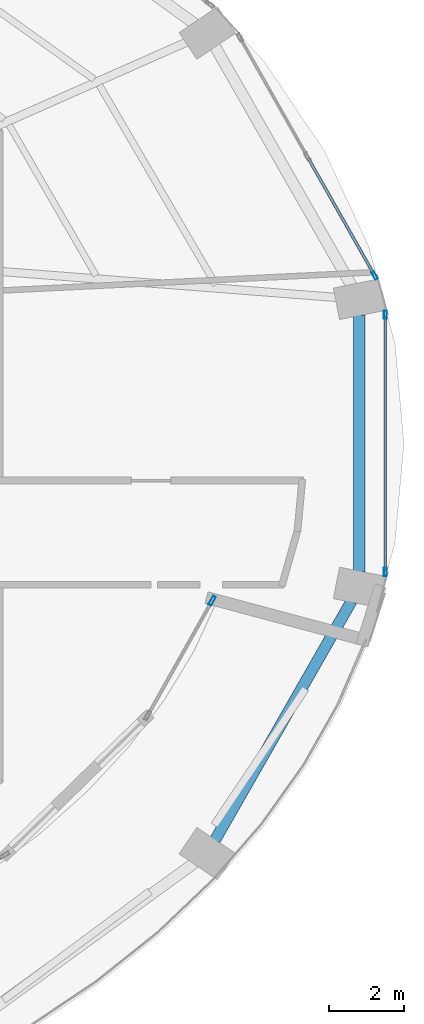
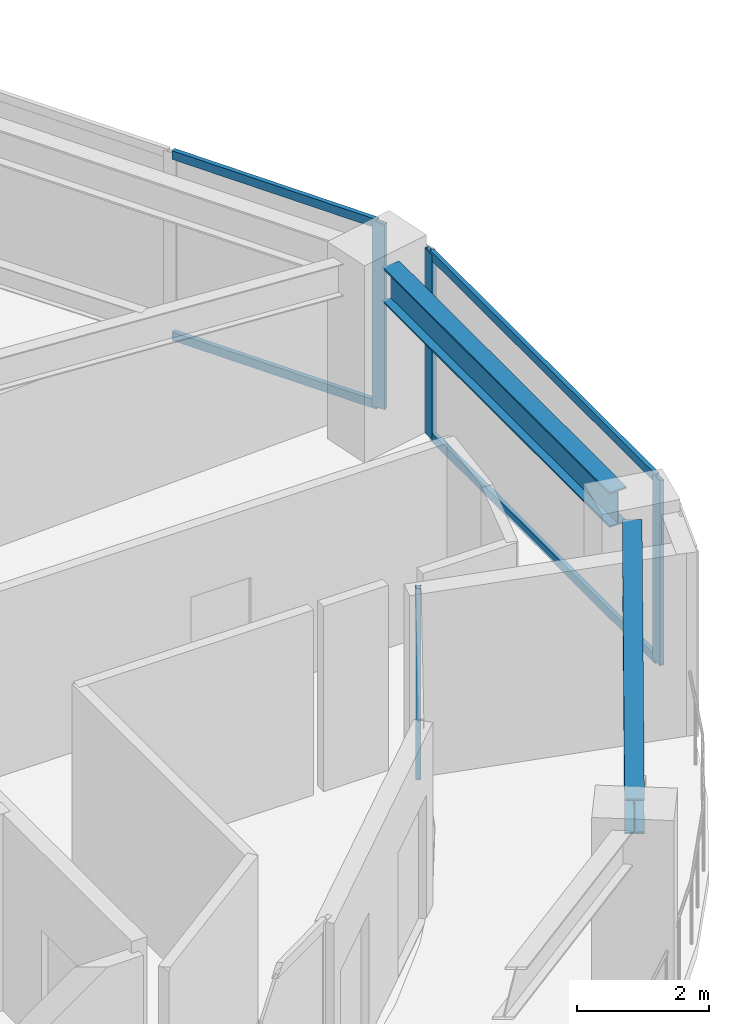
# One storey, part 12 of 24: 8 members, 2 beams, 3 elements without a shape of their own.
"""IFC4 building model written with IfcOpenShell, lengths in metres."""

from ifc_helpers import new_model, si_unit, direction, frame, origin, origin_2d, place, context, subcontext, project, spatial, hollow_rectangle, i_section, extrude, material, layer, layer_set, material_profile, profile_set, type_object, element, aggregate, save


model = new_model("IFC4")

# Units and contexts
model_context = context("Model", 3, precision=1e-05, world=origin(), true_north=direction((0.0, 1.0)))
body_context = subcontext(model_context, "Body", "Model", "MODEL_VIEW")
ifc_project = project(units=[si_unit("LENGTHUNIT", "METRE"), si_unit("AREAUNIT", "SQUARE_METRE"), si_unit("VOLUMEUNIT", "CUBIC_METRE"), si_unit("PLANEANGLEUNIT", "RADIAN"), si_unit("MASSUNIT", "GRAM", prefix="KILO")], contexts=[model_context])

# Site, building, storey
site_placement = place(None, origin())
site = spatial("IfcSite", under=ifc_project, at=site_placement, CompositionType="ELEMENT")
building_placement = place(site_placement, origin())
building = spatial("IfcBuilding", under=site, at=building_placement, Name="Lazwardi Medical Tower", CompositionType="ELEMENT")
storey_placement = place(building_placement, frame((0.0, 0.0, 58.031982421875)))
storey = spatial("IfcBuildingStorey", under=building, at=storey_placement, Name="L14", CompositionType="ELEMENT", Elevation=58.031982421875)

# Beams
ifc_material_1 = material(Name="Steel S355", Category="steel")
ifc_material_profile_1 = material_profile(ifc_material_1, i_section(OverallWidth=0.300048828125, OverallDepth=0.64990234375, WebThickness=0.01611328125, FlangeThickness=0.031005859375, at=origin_2d()), Name="HEB 650")
ifc_profile_set_1 = profile_set([ifc_material_profile_1], Name="Steel S355")
beam_type = type_object("IfcBeamType", Name="BM-RB-Z1", PredefinedType="BEAM", material=ifc_profile_set_1)
beam_1_placement = place(storey_placement, frame((58.927978515625, 19.75048828125, 3.10302734375), z_axis=(0.495829348644, 0.868419977328, 0.0), x_axis=(-0.868419977328, 0.495829348644, 0.0)))
element("IfcBeam", 1, at=beam_1_placement, inside=storey, type_object=beam_type, Name="Ring beam RB-02 B03 L14", PredefinedType="BEAM", context=body_context, shape_type="SweptSolid", body=[
    extrude(i_section(OverallWidth=0.300048828125, OverallDepth=0.64990234375, WebThickness=0.01611328125, FlangeThickness=0.031005859375, at=origin_2d()), origin(), (0.0, 0.0, 1.0), 7.38916015625),
])
beam_2_placement = place(storey_placement, frame((62.800048828125, 26.952392578125, 3.10302734375), z_axis=(0.0, 1.0, 0.0), x_axis=(-1.0, 0.0, 0.0)))
element("IfcBeam", 2, at=beam_2_placement, inside=storey, type_object=beam_type, Name="Ring beam RB-02 B04 L14", PredefinedType="BEAM", context=body_context, shape_type="SweptSolid", body=[
    extrude(i_section(OverallWidth=0.300048828125, OverallDepth=0.64990234375, WebThickness=0.01611328125, FlangeThickness=0.031005859375, at=origin_2d()), origin(), (0.0, 0.0, 1.0), 6.895263671875),
])

# Curtain wall, members
ifc_material_2 = material(Name="Anodised bronze aluminium and solar control glazing", Category="aluminium")
ifc_layer_1 = layer(ifc_material_2, 0.199951171875)
ifc_layer_set_1 = layer_set([ifc_layer_1], Name="Anodised bronze aluminium and solar control glazing")
curtain_wall_type_1 = type_object("IfcCurtainWallType", Name="CW-SYS-02", PredefinedType="NOTDEFINED", material=ifc_layer_set_1)
curtain_wall_1_placement = place(storey_placement, origin())
curtain_wall_1 = element("IfcCurtainWall", 3, at=curtain_wall_1_placement, inside=storey, type_object=curtain_wall_type_1, Name="L14 Unitised bronze curtain wall CW-02", PredefinedType="NOTDEFINED")
ifc_material_3 = material(Name="Anodised bronze aluminium", Category="aluminium")
ifc_material_profile_2 = material_profile(ifc_material_3, hollow_rectangle(XDim=0.074951171875, YDim=0.219970703125, WallThickness=0.00390625, at=origin_2d()), Name="ALU-MULLION 220x75x4")
ifc_profile_set_2 = profile_set([ifc_material_profile_2], Name="Anodised bronze aluminium")
member_type_1 = type_object("IfcMemberType", Name="CW-MUL-01", PredefinedType="MULLION", material=ifc_profile_set_2)
member_1_placement = place(storey_placement, frame((63.49853515625, 26.946044921875, 0.0), z_axis=(0.0, 0.0, 1.0), x_axis=(-1.0, 0.0, 0.0)))
member_1 = element("IfcMember", 4, at=member_1_placement, type_object=member_type_1, Name="CW-02 mullion 1", PredefinedType="MULLION", context=body_context, shape_type="SweptSolid", body=[
    extrude(hollow_rectangle(XDim=0.074951171875, YDim=0.219970703125, WallThickness=0.00390625, at=origin_2d()), origin(), (0.0, 0.0, 1.0), 3.427978515625),
])
member_2_placement = place(storey_placement, frame((63.49853515625, 33.85400390625, 0.0), z_axis=(0.0, 0.0, 1.0), x_axis=(-1.0, 0.0, 0.0)))
member_2 = element("IfcMember", 5, at=member_2_placement, type_object=member_type_1, Name="CW-02 mullion 2", PredefinedType="MULLION", context=body_context, shape_type="SweptSolid", body=[
    extrude(hollow_rectangle(XDim=0.074951171875, YDim=0.219970703125, WallThickness=0.00390625, at=origin_2d()), origin(), (0.0, 0.0, 1.0), 3.427978515625),
])

# Curtain wall, member
curtain_wall_2_placement = place(storey_placement, origin())
curtain_wall_2 = element("IfcCurtainWall", 6, at=curtain_wall_2_placement, inside=storey, type_object=curtain_wall_type_1, Name="L14 Unitised bronze curtain wall CW-02", PredefinedType="NOTDEFINED")
member_3_placement = place(storey_placement, frame((63.214111328125, 34.90234375, 0.0), z_axis=(0.0, 0.0, 1.0), x_axis=(-0.870111838823, -0.492854327303, 0.0)))
member_3 = element("IfcMember", 7, at=member_3_placement, type_object=member_type_1, Name="CW-02 mullion 1", PredefinedType="MULLION", context=body_context, shape_type="SweptSolid", body=[
    extrude(hollow_rectangle(XDim=0.074951171875, YDim=0.219970703125, WallThickness=0.00390625, at=origin_2d()), origin(), (0.0, 0.0, 1.0), 3.427978515625),
])

ifc_layer_2 = layer(ifc_material_2, 0.239990234375)
ifc_layer_set_2 = layer_set([ifc_layer_2], Name="Anodised bronze aluminium and solar control glazing")
curtain_wall_type_2 = type_object("IfcCurtainWallType", Name="CW-SYS-05", PredefinedType="NOTDEFINED", material=ifc_layer_set_2)
curtain_wall_3_placement = place(storey_placement, origin())
curtain_wall_3 = element("IfcCurtainWall", 8, at=curtain_wall_3_placement, inside=storey, type_object=curtain_wall_type_2, Name="L14 Unitised bronze curtain wall CW-05", PredefinedType="NOTDEFINED")
ifc_material_profile_3 = material_profile(ifc_material_3, hollow_rectangle(XDim=0.0849609375, YDim=0.260009765625, WallThickness=0.0048828125, at=origin_2d()), Name="ALU-MULLION 260x85x5")
ifc_profile_set_3 = profile_set([ifc_material_profile_3], Name="Anodised bronze aluminium")
member_type_2 = type_object("IfcMemberType", Name="CW-MUL-02", PredefinedType="MULLION", material=ifc_profile_set_3)
member_4_placement = place(storey_placement, frame((58.852294921875, 26.17529296875, 0.0), z_axis=(0.0, 0.0, 1.0), x_axis=(-0.871837157649, 0.489795845779, 0.0)))
member_4 = element("IfcMember", 9, at=member_4_placement, type_object=member_type_2, Name="CW-05 mullion 2", PredefinedType="MULLION", context=body_context, shape_type="SweptSolid", body=[
    extrude(hollow_rectangle(XDim=0.0849609375, YDim=0.260009765625, WallThickness=0.0048828125, at=origin_2d()), origin(), (0.0, 0.0, 1.0), 3.427978515625),
])
aggregate(curtain_wall_3, [member_4])

# Member
ifc_material_profile_4 = material_profile(ifc_material_3, hollow_rectangle(XDim=0.074951171875, YDim=0.159912109375, WallThickness=0.00390625, at=origin_2d()), Name="ALU-TRANSOM 160x75x4")
ifc_profile_set_4 = profile_set([ifc_material_profile_4], Name="Anodised bronze aluminium")
member_type_3 = type_object("IfcMemberType", Name="CW-TRN-01", PredefinedType="USERDEFINED", material=ifc_profile_set_4)
member_5_placement = place(storey_placement, frame((63.49853515625, 26.9833984375, 0.03759765625), z_axis=(0.0, 1.0, 0.0), x_axis=(-1.0, 0.0, 0.0)))
member_5 = element("IfcMember", 10, at=member_5_placement, type_object=member_type_3, Name="CW-02 transom 1.1", ObjectType="TRANSOM", PredefinedType="USERDEFINED", context=body_context, shape_type="SweptSolid", body=[
    extrude(hollow_rectangle(XDim=0.074951171875, YDim=0.159912109375, WallThickness=0.00390625, at=origin_2d()), origin(), (0.0, 0.0, 1.0), 6.8330078125),
])

member_6_placement = place(storey_placement, frame((63.49853515625, 26.9833984375, 3.390625), z_axis=(0.0, 1.0, 0.0), x_axis=(-1.0, 0.0, 0.0)))
member_6 = element("IfcMember", 11, at=member_6_placement, type_object=member_type_3, Name="CW-02 transom 1.2", ObjectType="TRANSOM", PredefinedType="USERDEFINED", context=body_context, shape_type="SweptSolid", body=[
    extrude(hollow_rectangle(XDim=0.074951171875, YDim=0.159912109375, WallThickness=0.00390625, at=origin_2d()), origin(), (0.0, 0.0, 1.0), 6.8330078125),
])

aggregate(curtain_wall_1, [member_1, member_2, member_5, member_6])

member_7_placement = place(storey_placement, frame((63.195556640625, 34.93505859375, 0.03759765625), z_axis=(-0.492880614687, 0.870096948429, 0.0), x_axis=(-0.870096948429, -0.492880614687, 0.0)))
member_7 = element("IfcMember", 12, at=member_7_placement, type_object=member_type_3, Name="CW-02 transom 1.1", ObjectType="TRANSOM", PredefinedType="USERDEFINED", context=body_context, shape_type="SweptSolid", body=[
    extrude(hollow_rectangle(XDim=0.074951171875, YDim=0.159912109375, WallThickness=0.00390625, at=origin_2d()), origin(), (0.0, 0.0, 1.0), 3.5947265625),
])

member_8_placement = place(storey_placement, frame((63.195556640625, 34.93505859375, 3.390625), z_axis=(-0.492880614687, 0.870096948429, 0.0), x_axis=(-0.870096948429, -0.492880614687, 0.0)))
member_8 = element("IfcMember", 13, at=member_8_placement, type_object=member_type_3, Name="CW-02 transom 1.2", ObjectType="TRANSOM", PredefinedType="USERDEFINED", context=body_context, shape_type="SweptSolid", body=[
    extrude(hollow_rectangle(XDim=0.074951171875, YDim=0.159912109375, WallThickness=0.00390625, at=origin_2d()), origin(), (0.0, 0.0, 1.0), 3.5947265625),
])

aggregate(curtain_wall_2, [member_3, member_7, member_8])

save(model, "model.ifc")
